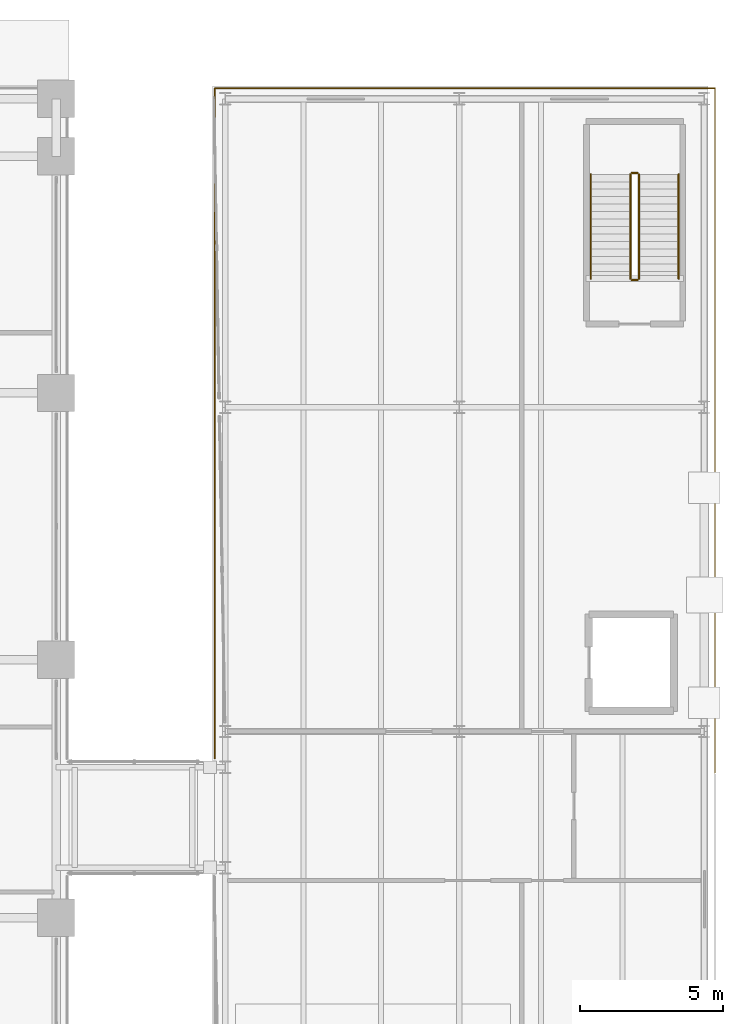
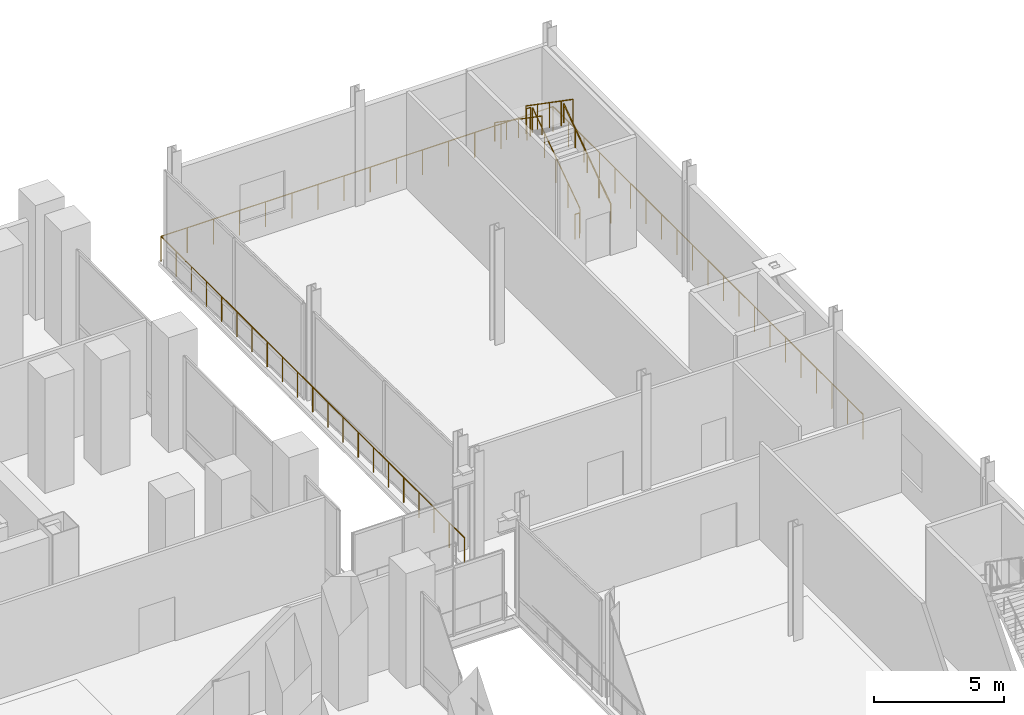
# One storey, part 32 of 32: 7 railings.
"""IFC4 building model written with IfcOpenShell, lengths in metres."""

from ifc_helpers import new_model, si_unit, direction, frame, origin, origin_2d, place, context, subcontext, project, spatial, circle, extrude, material, layer, layer_set, type_object, element, save


model = new_model("IFC4")

# Units and contexts
model_context = context("Model", 3, precision=1e-05, world=origin(), true_north=direction((0.0, 1.0)))
body_context = subcontext(model_context, "Body", "Model", "MODEL_VIEW")
ifc_project = project(units=[si_unit("LENGTHUNIT", "METRE"), si_unit("AREAUNIT", "SQUARE_METRE"), si_unit("VOLUMEUNIT", "CUBIC_METRE"), si_unit("PLANEANGLEUNIT", "RADIAN"), si_unit("MASSUNIT", "GRAM", prefix="KILO")], contexts=[model_context])

# Site, building, storey
site_placement = place(None, origin())
site = spatial("IfcSite", under=ifc_project, at=site_placement, CompositionType="ELEMENT")
building_placement = place(site_placement, origin())
building = spatial("IfcBuilding", under=site, at=building_placement, Name="Noeulbin Bourse Tower", CompositionType="ELEMENT")
storey_placement = place(building_placement, frame((0.0, 0.0, 5.800048828125)))
storey = spatial("IfcBuildingStorey", under=building, at=storey_placement, Name="L02", CompositionType="ELEMENT", Elevation=5.800048828125)

# Railings
ifc_material_1 = material(Name="Painted Tubular Steel S355", Category="steel")
ifc_layer_1 = layer(ifc_material_1, 0.048095703125)
ifc_layer_set_1 = layer_set([ifc_layer_1], Name="Painted Tubular Steel S355")
railing_type_1 = type_object("IfcRailingType", Name="RLG-STR-GRD", PredefinedType="GUARDRAIL", material=ifc_layer_set_1)
railing_1_placement = place(storey_placement, frame((74.8701171875, 42.280029296875, 0.179931640625)))
element("IfcRailing", 1, at=railing_1_placement, inside=storey, type_object=railing_type_1, Name="L02 MST-2 stair guard 1", PredefinedType="GUARDRAIL", context=body_context, shape_type="SweptSolid", body=[
    extrude(circle(Radius=0.02392578125, at=origin_2d()), frame((0.0, 0.0, 1.17578125), z_axis=(0.0, 0.822182265111, 0.569224316888), x_axis=(-1.0, 0.0, 0.0)), (0.0, 0.0, 1.0), 4.427001953125),
    extrude(circle(Radius=0.02099609375, at=origin_2d()), origin(), (0.0, 0.0, 1.0), 1.15185546875),
    extrude(circle(Radius=0.02099609375, at=origin_2d()), frame((0.0, 0.909912109375, 0.6298828125)), (0.0, 0.0, 1.0), 1.15185546875),
    extrude(circle(Radius=0.02099609375, at=origin_2d()), frame((0.0, 1.81982421875, 1.260009765625)), (0.0, 0.0, 1.0), 1.15185546875),
    extrude(circle(Radius=0.02099609375, at=origin_2d()), frame((0.0, 2.72998046875, 1.89013671875)), (0.0, 0.0, 1.0), 1.15185546875),
    extrude(circle(Radius=0.02099609375, at=origin_2d()), frame((0.0, 3.639892578125, 2.52001953125)), (0.0, 0.0, 1.0), 1.15185546875),
])
railing_2_placement = place(storey_placement, frame((74.820068359375, 45.969970703125, 2.699951171875)))
element("IfcRailing", 2, at=railing_2_placement, inside=storey, type_object=railing_type_1, Name="L02 MST-2 stair guard 2", PredefinedType="GUARDRAIL", context=body_context, shape_type="SweptSolid", body=[
    extrude(circle(Radius=0.02392578125, at=origin_2d()), frame((0.0, 0.0, 1.17578125), z_axis=(-1.0, 0.0, 0.0), x_axis=(0.0, -1.0, 0.0)), (0.0, 0.0, 1.0), 0.199951171875),
    extrude(circle(Radius=0.02099609375, at=origin_2d()), origin(), (0.0, 0.0, 1.0), 1.15185546875),
    extrude(circle(Radius=0.02099609375, at=origin_2d()), frame((-0.199951171875, 0.0, 0.0)), (0.0, 0.0, 1.0), 1.15185546875),
])
railing_3_placement = place(storey_placement, frame((74.570068359375, 45.919921875, 2.8798828125)))
element("IfcRailing", 3, at=railing_3_placement, inside=storey, type_object=railing_type_1, Name="L02 MST-2 stair guard 3", PredefinedType="GUARDRAIL", context=body_context, shape_type="SweptSolid", body=[
    extrude(circle(Radius=0.02392578125, at=origin_2d()), frame((0.0, 0.0, 1.17578125), z_axis=(0.0, -0.822182265111, 0.569224316888), x_axis=(1.0, 0.0, 0.0)), (0.0, 0.0, 1.0), 4.427001953125),
    extrude(circle(Radius=0.02099609375, at=origin_2d()), origin(), (0.0, 0.0, 1.0), 1.15185546875),
    extrude(circle(Radius=0.02099609375, at=origin_2d()), frame((0.0, -0.909912109375, 0.6298828125)), (0.0, 0.0, 1.0), 1.15185546875),
    extrude(circle(Radius=0.02099609375, at=origin_2d()), frame((0.0, -1.81982421875, 1.260009765625)), (0.0, 0.0, 1.0), 1.15185546875),
    extrude(circle(Radius=0.02099609375, at=origin_2d()), frame((0.0, -2.72998046875, 1.89013671875)), (0.0, 0.0, 1.0), 1.15185546875),
    extrude(circle(Radius=0.02099609375, at=origin_2d()), frame((0.0, -3.639892578125, 2.52001953125)), (0.0, 0.0, 1.0), 1.15185546875),
])
railing_4_placement = place(storey_placement, frame((74.820068359375, 42.22998046875, 0.0)))
element("IfcRailing", 4, at=railing_4_placement, inside=storey, type_object=railing_type_1, Name="L02 MST-2 stair guard 4", PredefinedType="GUARDRAIL", context=body_context, shape_type="SweptSolid", body=[
    extrude(circle(Radius=0.02392578125, at=origin_2d()), frame((0.0, 0.0, 1.17578125), z_axis=(-1.0, 0.0, 0.0), x_axis=(0.0, -1.0, 0.0)), (0.0, 0.0, 1.0), 0.199951171875),
    extrude(circle(Radius=0.02099609375, at=origin_2d()), origin(), (0.0, 0.0, 1.0), 1.15185546875),
    extrude(circle(Radius=0.02099609375, at=origin_2d()), frame((-0.199951171875, 0.0, 0.0)), (0.0, 0.0, 1.0), 1.15185546875),
])
ifc_material_2 = material(Name="Brushed Stainless Steel 316", Category="steel")
ifc_layer_2 = layer(ifc_material_2, 0.048095703125)
ifc_layer_set_2 = layer_set([ifc_layer_2], Name="Brushed Stainless Steel 316")
railing_type_2 = type_object("IfcRailingType", Name="RLG-STR-HND", PredefinedType="HANDRAIL", material=ifc_layer_set_2)
railing_5_placement = place(storey_placement, frame((76.25, 42.280029296875, 0.179931640625)))
element("IfcRailing", 5, at=railing_5_placement, inside=storey, type_object=railing_type_2, Name="L02 MST-2 stair handrail 1", PredefinedType="HANDRAIL", context=body_context, shape_type="SweptSolid", body=[
    extrude(circle(Radius=0.02392578125, at=origin_2d()), frame((0.0, 0.0, 0.8759765625), z_axis=(0.0, 0.822182265111, 0.569224316888), x_axis=(-1.0, 0.0, 0.0)), (0.0, 0.0, 1.0), 4.427001953125),
    extrude(circle(Radius=0.02099609375, at=origin_2d()), origin(), (0.0, 0.0, 1.0), 0.851806640625),
    extrude(circle(Radius=0.02099609375, at=origin_2d()), frame((0.0, 0.909912109375, 0.6298828125)), (0.0, 0.0, 1.0), 0.851806640625),
    extrude(circle(Radius=0.02099609375, at=origin_2d()), frame((0.0, 1.81982421875, 1.260009765625)), (0.0, 0.0, 1.0), 0.851806640625),
    extrude(circle(Radius=0.02099609375, at=origin_2d()), frame((0.0, 2.72998046875, 1.89013671875)), (0.0, 0.0, 1.0), 0.851806640625),
    extrude(circle(Radius=0.02099609375, at=origin_2d()), frame((0.0, 3.639892578125, 2.52001953125)), (0.0, 0.0, 1.0), 0.851806640625),
])
railing_6_placement = place(storey_placement, frame((73.18994140625, 45.919921875, 2.8798828125)))
element("IfcRailing", 6, at=railing_6_placement, inside=storey, type_object=railing_type_2, Name="L02 MST-2 stair handrail 2", PredefinedType="HANDRAIL", context=body_context, shape_type="SweptSolid", body=[
    extrude(circle(Radius=0.02392578125, at=origin_2d()), frame((0.0, 0.0, 0.8759765625), z_axis=(0.0, -0.822182265111, 0.569224316888), x_axis=(1.0, 0.0, 0.0)), (0.0, 0.0, 1.0), 4.427001953125),
    extrude(circle(Radius=0.02099609375, at=origin_2d()), origin(), (0.0, 0.0, 1.0), 0.851806640625),
    extrude(circle(Radius=0.02099609375, at=origin_2d()), frame((0.0, -0.909912109375, 0.6298828125)), (0.0, 0.0, 1.0), 0.851806640625),
    extrude(circle(Radius=0.02099609375, at=origin_2d()), frame((0.0, -1.81982421875, 1.260009765625)), (0.0, 0.0, 1.0), 0.851806640625),
    extrude(circle(Radius=0.02099609375, at=origin_2d()), frame((0.0, -2.72998046875, 1.89013671875)), (0.0, 0.0, 1.0), 0.851806640625),
    extrude(circle(Radius=0.02099609375, at=origin_2d()), frame((0.0, -3.639892578125, 2.52001953125)), (0.0, 0.0, 1.0), 0.851806640625),
])
ifc_material_3 = material(Name="Stainless Steel 316 Post and Rail", Category="steel")
ifc_layer_3 = layer(ifc_material_3, 0.06005859375)
ifc_layer_set_3 = layer_set([ifc_layer_3], Name="Stainless Steel 316 Post and Rail")
railing_type_3 = type_object("IfcRailingType", Name="RLG-TER-1200", PredefinedType="GUARDRAIL", material=ifc_layer_set_3)
railing_7_placement = place(storey_placement, frame((77.52001953125, 25.06005859375, 0.0)))
element("IfcRailing", 7, at=railing_7_placement, inside=storey, type_object=railing_type_3, Name="Market Perimeter Edge Guard L02-2", PredefinedType="GUARDRAIL", context=body_context, shape_type="SweptSolid", body=[
    extrude(circle(Radius=0.02392578125, at=origin_2d()), frame((0.0, 0.0, 1.17578125), z_axis=(0.0, 1.0, 0.0), x_axis=(-1.0, 0.0, 0.0)), (0.0, 0.0, 1.0), 23.85986328125),
    extrude(circle(Radius=0.02392578125, at=origin_2d()), frame((0.0, 23.85986328125, 1.17578125), z_axis=(-1.0, 0.0, 0.0), x_axis=(0.0, -1.0, 0.0)), (0.0, 0.0, 1.0), 17.43994140625),
    extrude(circle(Radius=0.02392578125, at=origin_2d()), frame((-17.43994140625, 23.85986328125, 1.17578125), z_axis=(0.0, -1.0, 0.0), x_axis=(1.0, 0.0, 0.0)), (0.0, 0.0, 1.0), 23.369873046875),
    extrude(circle(Radius=0.02099609375, at=origin_2d()), origin(), (0.0, 0.0, 1.0), 1.15185546875),
    extrude(circle(Radius=0.02099609375, at=origin_2d()), frame((0.0, 1.19287109375, 0.0)), (0.0, 0.0, 1.0), 1.15185546875),
    extrude(circle(Radius=0.02099609375, at=origin_2d()), frame((0.0, 2.385986328125, 0.0)), (0.0, 0.0, 1.0), 1.15185546875),
    extrude(circle(Radius=0.02099609375, at=origin_2d()), frame((0.0, 3.5791015625, 0.0)), (0.0, 0.0, 1.0), 1.15185546875),
    extrude(circle(Radius=0.02099609375, at=origin_2d()), frame((0.0, 4.77197265625, 0.0)), (0.0, 0.0, 1.0), 1.15185546875),
    extrude(circle(Radius=0.02099609375, at=origin_2d()), frame((0.0, 5.96484375, 0.0)), (0.0, 0.0, 1.0), 1.15185546875),
    extrude(circle(Radius=0.02099609375, at=origin_2d()), frame((0.0, 7.157958984375, 0.0)), (0.0, 0.0, 1.0), 1.15185546875),
    extrude(circle(Radius=0.02099609375, at=origin_2d()), frame((0.0, 8.35107421875, 0.0)), (0.0, 0.0, 1.0), 1.15185546875),
    extrude(circle(Radius=0.02099609375, at=origin_2d()), frame((0.0, 9.5439453125, 0.0)), (0.0, 0.0, 1.0), 1.15185546875),
    extrude(circle(Radius=0.02099609375, at=origin_2d()), frame((0.0, 10.73681640625, 0.0)), (0.0, 0.0, 1.0), 1.15185546875),
    extrude(circle(Radius=0.02099609375, at=origin_2d()), frame((0.0, 11.929931640625, 0.0)), (0.0, 0.0, 1.0), 1.15185546875),
    extrude(circle(Radius=0.02099609375, at=origin_2d()), frame((0.0, 13.123046875, 0.0)), (0.0, 0.0, 1.0), 1.15185546875),
    extrude(circle(Radius=0.02099609375, at=origin_2d()), frame((0.0, 14.31591796875, 0.0)), (0.0, 0.0, 1.0), 1.15185546875),
    extrude(circle(Radius=0.02099609375, at=origin_2d()), frame((0.0, 15.5087890625, 0.0)), (0.0, 0.0, 1.0), 1.15185546875),
    extrude(circle(Radius=0.02099609375, at=origin_2d()), frame((0.0, 16.701904296875, 0.0)), (0.0, 0.0, 1.0), 1.15185546875),
    extrude(circle(Radius=0.02099609375, at=origin_2d()), frame((0.0, 17.89501953125, 0.0)), (0.0, 0.0, 1.0), 1.15185546875),
    extrude(circle(Radius=0.02099609375, at=origin_2d()), frame((0.0, 19.087890625, 0.0)), (0.0, 0.0, 1.0), 1.15185546875),
    extrude(circle(Radius=0.02099609375, at=origin_2d()), frame((0.0, 20.28076171875, 0.0)), (0.0, 0.0, 1.0), 1.15185546875),
    extrude(circle(Radius=0.02099609375, at=origin_2d()), frame((0.0, 21.473876953125, 0.0)), (0.0, 0.0, 1.0), 1.15185546875),
    extrude(circle(Radius=0.02099609375, at=origin_2d()), frame((0.0, 22.6669921875, 0.0)), (0.0, 0.0, 1.0), 1.15185546875),
    extrude(circle(Radius=0.02099609375, at=origin_2d()), frame((0.0, 23.85986328125, 0.0)), (0.0, 0.0, 1.0), 1.15185546875),
    extrude(circle(Radius=0.02099609375, at=origin_2d()), frame((-1.16259765625, 23.85986328125, 0.0)), (0.0, 0.0, 1.0), 1.15185546875),
    extrude(circle(Radius=0.02099609375, at=origin_2d()), frame((-2.325439453125, 23.85986328125, 0.0)), (0.0, 0.0, 1.0), 1.15185546875),
    extrude(circle(Radius=0.02099609375, at=origin_2d()), frame((-3.488037109375, 23.85986328125, 0.0)), (0.0, 0.0, 1.0), 1.15185546875),
    extrude(circle(Radius=0.02099609375, at=origin_2d()), frame((-4.650634765625, 23.85986328125, 0.0)), (0.0, 0.0, 1.0), 1.15185546875),
    extrude(circle(Radius=0.02099609375, at=origin_2d()), frame((-5.813232421875, 23.85986328125, 0.0)), (0.0, 0.0, 1.0), 1.15185546875),
    extrude(circle(Radius=0.02099609375, at=origin_2d()), frame((-6.97607421875, 23.85986328125, 0.0)), (0.0, 0.0, 1.0), 1.15185546875),
    extrude(circle(Radius=0.02099609375, at=origin_2d()), frame((-8.138671875, 23.85986328125, 0.0)), (0.0, 0.0, 1.0), 1.15185546875),
    extrude(circle(Radius=0.02099609375, at=origin_2d()), frame((-9.30126953125, 23.85986328125, 0.0)), (0.0, 0.0, 1.0), 1.15185546875),
    extrude(circle(Radius=0.02099609375, at=origin_2d()), frame((-10.4638671875, 23.85986328125, 0.0)), (0.0, 0.0, 1.0), 1.15185546875),
    extrude(circle(Radius=0.02099609375, at=origin_2d()), frame((-11.626708984375, 23.85986328125, 0.0)), (0.0, 0.0, 1.0), 1.15185546875),
    extrude(circle(Radius=0.02099609375, at=origin_2d()), frame((-12.789306640625, 23.85986328125, 0.0)), (0.0, 0.0, 1.0), 1.15185546875),
    extrude(circle(Radius=0.02099609375, at=origin_2d()), frame((-13.951904296875, 23.85986328125, 0.0)), (0.0, 0.0, 1.0), 1.15185546875),
    extrude(circle(Radius=0.02099609375, at=origin_2d()), frame((-15.114501953125, 23.85986328125, 0.0)), (0.0, 0.0, 1.0), 1.15185546875),
    extrude(circle(Radius=0.02099609375, at=origin_2d()), frame((-16.27734375, 23.85986328125, 0.0)), (0.0, 0.0, 1.0), 1.15185546875),
    extrude(circle(Radius=0.02099609375, at=origin_2d()), frame((-17.43994140625, 23.85986328125, 0.0)), (0.0, 0.0, 1.0), 1.15185546875),
    extrude(circle(Radius=0.02099609375, at=origin_2d()), frame((-17.43994140625, 22.69140625, 0.0)), (0.0, 0.0, 1.0), 1.15185546875),
    extrude(circle(Radius=0.02099609375, at=origin_2d()), frame((-17.43994140625, 21.52294921875, 0.0)), (0.0, 0.0, 1.0), 1.15185546875),
    extrude(circle(Radius=0.02099609375, at=origin_2d()), frame((-17.43994140625, 20.3544921875, 0.0)), (0.0, 0.0, 1.0), 1.15185546875),
    extrude(circle(Radius=0.02099609375, at=origin_2d()), frame((-17.43994140625, 19.185791015625, 0.0)), (0.0, 0.0, 1.0), 1.15185546875),
    extrude(circle(Radius=0.02099609375, at=origin_2d()), frame((-17.43994140625, 18.017333984375, 0.0)), (0.0, 0.0, 1.0), 1.15185546875),
    extrude(circle(Radius=0.02099609375, at=origin_2d()), frame((-17.43994140625, 16.848876953125, 0.0)), (0.0, 0.0, 1.0), 1.15185546875),
    extrude(circle(Radius=0.02099609375, at=origin_2d()), frame((-17.43994140625, 15.680419921875, 0.0)), (0.0, 0.0, 1.0), 1.15185546875),
    extrude(circle(Radius=0.02099609375, at=origin_2d()), frame((-17.43994140625, 14.511962890625, 0.0)), (0.0, 0.0, 1.0), 1.15185546875),
    extrude(circle(Radius=0.02099609375, at=origin_2d()), frame((-17.43994140625, 13.343505859375, 0.0)), (0.0, 0.0, 1.0), 1.15185546875),
    extrude(circle(Radius=0.02099609375, at=origin_2d()), frame((-17.43994140625, 12.1748046875, 0.0)), (0.0, 0.0, 1.0), 1.15185546875),
    extrude(circle(Radius=0.02099609375, at=origin_2d()), frame((-17.43994140625, 11.00634765625, 0.0)), (0.0, 0.0, 1.0), 1.15185546875),
    extrude(circle(Radius=0.02099609375, at=origin_2d()), frame((-17.43994140625, 9.837890625, 0.0)), (0.0, 0.0, 1.0), 1.15185546875),
    extrude(circle(Radius=0.02099609375, at=origin_2d()), frame((-17.43994140625, 8.66943359375, 0.0)), (0.0, 0.0, 1.0), 1.15185546875),
    extrude(circle(Radius=0.02099609375, at=origin_2d()), frame((-17.43994140625, 7.5009765625, 0.0)), (0.0, 0.0, 1.0), 1.15185546875),
    extrude(circle(Radius=0.02099609375, at=origin_2d()), frame((-17.43994140625, 6.33251953125, 0.0)), (0.0, 0.0, 1.0), 1.15185546875),
    extrude(circle(Radius=0.02099609375, at=origin_2d()), frame((-17.43994140625, 5.1640625, 0.0)), (0.0, 0.0, 1.0), 1.15185546875),
    extrude(circle(Radius=0.02099609375, at=origin_2d()), frame((-17.43994140625, 3.995361328125, 0.0)), (0.0, 0.0, 1.0), 1.15185546875),
    extrude(circle(Radius=0.02099609375, at=origin_2d()), frame((-17.43994140625, 2.826904296875, 0.0)), (0.0, 0.0, 1.0), 1.15185546875),
    extrude(circle(Radius=0.02099609375, at=origin_2d()), frame((-17.43994140625, 1.658447265625, 0.0)), (0.0, 0.0, 1.0), 1.15185546875),
    extrude(circle(Radius=0.02099609375, at=origin_2d()), frame((-17.43994140625, 0.489990234375, 0.0)), (0.0, 0.0, 1.0), 1.15185546875),
])

save(model, "model.ifc")
